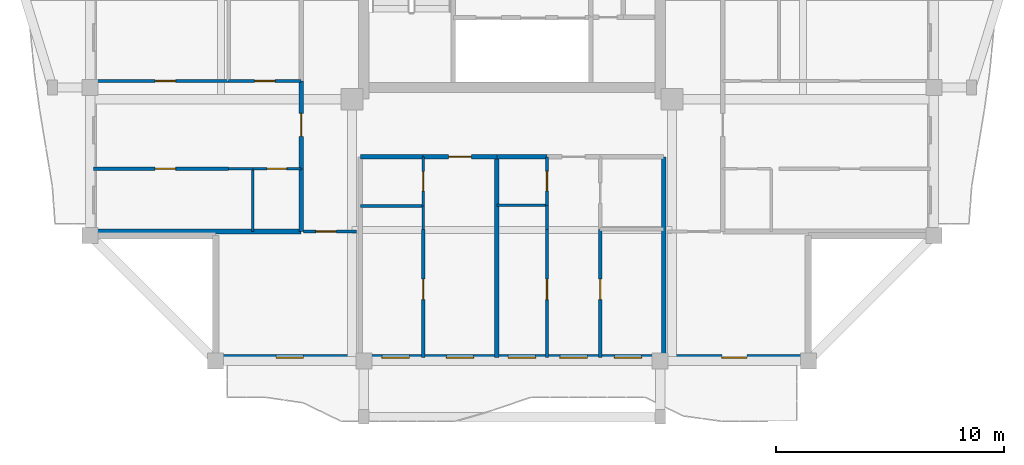
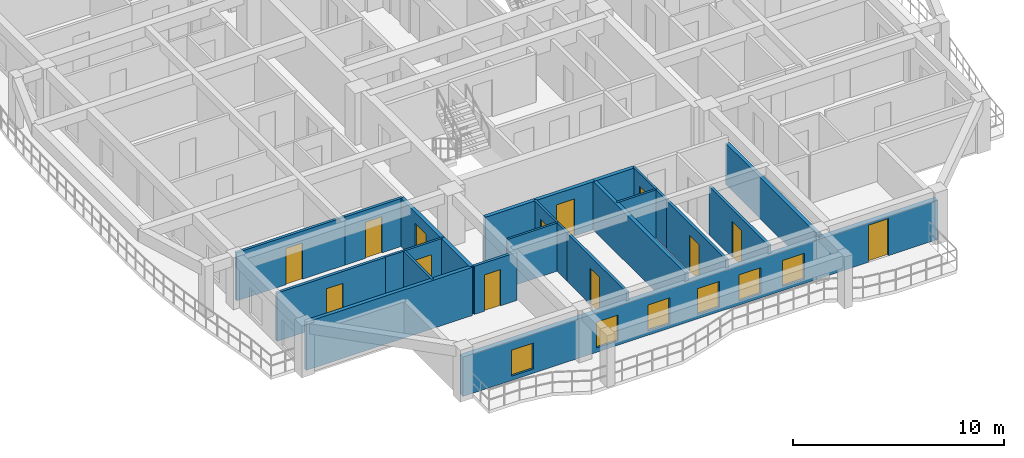
# One storey, part 2 of 14: 25 walls, 13 doors, 6 windows, 19 openings.
"""IFC4 building model written with IfcOpenShell, lengths in metres."""

from ifc_helpers import new_model, si_unit, direction, frame, frame_2d, origin, place, context, subcontext, project, spatial, rectangle, extrude, source, transform, mapped, material, layer, layer_set, type_object, element, fill, save


model = new_model("IFC4")

# Units and contexts
model_context = context("Model", 3, precision=1e-05, world=origin(), true_north=direction((0.0, 1.0)))
body_context = subcontext(model_context, "Body", "Model", "MODEL_VIEW")
ifc_project = project(units=[si_unit("LENGTHUNIT", "METRE"), si_unit("AREAUNIT", "SQUARE_METRE"), si_unit("VOLUMEUNIT", "CUBIC_METRE"), si_unit("PLANEANGLEUNIT", "RADIAN"), si_unit("MASSUNIT", "GRAM", prefix="KILO")], contexts=[model_context])

# Site, building, storey
site_placement = place(None, origin())
site = spatial("IfcSite", under=ifc_project, at=site_placement, CompositionType="ELEMENT")
building_placement = place(site_placement, origin())
building = spatial("IfcBuilding", under=site, at=building_placement, Name="Saelheon Loggia Tower", CompositionType="ELEMENT")
storey_placement = place(building_placement, frame((0.0, 0.0, 213.300048828125)))
storey = spatial("IfcBuildingStorey", under=building, at=storey_placement, Name="L66", CompositionType="ELEMENT", Elevation=213.300048828125)

# Wall, openings, windows, door
ifc_material_1 = material(Name="Architectural Precast Concrete C40/50", Category="concrete")
ifc_layer_1 = layer(ifc_material_1, 0.280029296875)
ifc_layer_set_1 = layer_set([ifc_layer_1], Name="Architectural Precast Concrete C40/50")
wall_type_1 = type_object("IfcWallType", Name="Wall_Ext_Loggia_280", PredefinedType="SOLIDWALL", material=ifc_layer_set_1)
wall_1_placement = place(storey_placement, frame((25.0, 6.139892578125, 0.0), z_axis=(0.0, 0.0, 1.0), x_axis=(1.0, 0.0, 0.0)))
wall_1 = element("IfcWall", 1, at=wall_1_placement, inside=storey, type_object=wall_type_1, Name="L66 South Loggia Inner Wall", PredefinedType="SOLIDWALL", context=body_context, shape_type="SweptSolid", body=[
    extrude(rectangle(XDim=26.0, YDim=0.280029296875, at=frame_2d((13.0, 0.0))), origin(), (0.0, 0.0, 1.0), 2.280029296875),
])
opening_1_placement = place(wall_1_placement, frame((2.64990234375, 0.0, 0.25)))
opening_1 = element("IfcOpeningElement", 2, at=opening_1_placement, cuts=wall_1, Name="Opening WN-03", PredefinedType="OPENING", context=body_context, shape_type="SweptSolid", body=[
    extrude(rectangle(XDim=1.199951171875, YDim=1.5, at=frame_2d((0.60009765625, 0.75))), frame((0.0, 0.152099609375, 0.0), z_axis=(0.0, -1.0, 0.0), x_axis=(1.0, 0.0, 0.0)), (0.0, 0.0, 1.0), 0.303955078125),
])
opening_2_placement = place(wall_1_placement, frame((7.29638671875, 0.0, 0.25)))
opening_2 = element("IfcOpeningElement", 3, at=opening_2_placement, cuts=wall_1, Name="Opening WN-03", PredefinedType="OPENING", context=body_context, shape_type="SweptSolid", body=[
    extrude(rectangle(XDim=1.199951171875, YDim=1.5, at=frame_2d((0.60009765625, 0.75))), frame((0.0, 0.152099609375, 0.0), z_axis=(0.0, -1.0, 0.0), x_axis=(1.0, 0.0, 0.0)), (0.0, 0.0, 1.0), 0.303955078125),
])
opening_3_placement = place(wall_1_placement, frame((10.118896484375, 0.0, 0.25)))
opening_3 = element("IfcOpeningElement", 4, at=opening_3_placement, cuts=wall_1, Name="Opening WN-03", PredefinedType="OPENING", context=body_context, shape_type="SweptSolid", body=[
    extrude(rectangle(XDim=1.199951171875, YDim=1.5, at=frame_2d((0.60009765625, 0.75))), frame((0.0, 0.152099609375, 0.0), z_axis=(0.0, -1.0, 0.0), x_axis=(1.0, 0.0, 0.0)), (0.0, 0.0, 1.0), 0.303955078125),
])
opening_4_placement = place(wall_1_placement, frame((12.8349609375, 0.0, 0.25)))
opening_4 = element("IfcOpeningElement", 5, at=opening_4_placement, cuts=wall_1, Name="Opening WN-03", PredefinedType="OPENING", context=body_context, shape_type="SweptSolid", body=[
    extrude(rectangle(XDim=1.199951171875, YDim=1.5, at=frame_2d((0.60009765625, 0.75))), frame((0.0, 0.152099609375, 0.0), z_axis=(0.0, -1.0, 0.0), x_axis=(1.0, 0.0, 0.0)), (0.0, 0.0, 1.0), 0.303955078125),
])
opening_5_placement = place(wall_1_placement, frame((15.1025390625, 0.0, 0.25)))
opening_5 = element("IfcOpeningElement", 6, at=opening_5_placement, cuts=wall_1, Name="Opening WN-03", PredefinedType="OPENING", context=body_context, shape_type="SweptSolid", body=[
    extrude(rectangle(XDim=1.199951171875, YDim=1.5, at=frame_2d((0.60009765625, 0.75))), frame((0.0, 0.152099609375, 0.0), z_axis=(0.0, -1.0, 0.0), x_axis=(1.0, 0.0, 0.0)), (0.0, 0.0, 1.0), 0.303955078125),
])
opening_6_placement = place(wall_1_placement, frame((17.489990234375, 0.0, 0.25)))
opening_6 = element("IfcOpeningElement", 7, at=opening_6_placement, cuts=wall_1, Name="Opening WN-03", PredefinedType="OPENING", context=body_context, shape_type="SweptSolid", body=[
    extrude(rectangle(XDim=1.199951171875, YDim=1.5, at=frame_2d((0.60009765625, 0.75))), frame((0.0, 0.152099609375, 0.0), z_axis=(0.0, -1.0, 0.0), x_axis=(1.0, 0.0, 0.0)), (0.0, 0.0, 1.0), 0.303955078125),
])
opening_7_placement = place(wall_1_placement, frame((23.300048828125, 0.0, 0.0), z_axis=(0.0, 0.0, 1.0), x_axis=(-1.0, 0.0, 0.0)))
opening_7 = element("IfcOpeningElement", 8, at=opening_7_placement, cuts=wall_1, Name="Opening TD1", PredefinedType="OPENING", context=body_context, shape_type="SweptSolid", body=[
    extrude(rectangle(XDim=1.10009765625, YDim=2.14990234375, at=frame_2d((0.550048828125, 1.074951171875))), frame((0.0, 0.152099609375, 0.0), z_axis=(0.0, -1.0, 0.0), x_axis=(1.0, 0.0, 0.0)), (0.0, 0.0, 1.0), 0.303955078125),
])
ifc_material_2 = material(Name="Thermal-Break Aluminium and Triple Low-E Glass", Category="aluminium")
window_type = type_object("IfcWindowType", Name="Win_Bedroom_1200x1500", PartitioningType="SINGLE_PANEL", PredefinedType="WINDOW", material=ifc_material_2)
shared_shape_1 = source(origin(), body_context, "Body", "SweptSolid", [
    extrude(rectangle(XDim=1.199951171875, YDim=1.5, at=frame_2d((0.60009765625, 0.75))), frame((0.0, 0.030029296875, 0.0), z_axis=(0.0, -1.0, 0.0), x_axis=(1.0, 0.0, 0.0)), (0.0, 0.0, 1.0), 0.06005859375),
])
window_1_placement = place(opening_1_placement, origin())
window_1 = element("IfcWindow", 9, at=window_1_placement, inside=storey, type_object=window_type, Name="L66 S Dwelling Window 1", OverallHeight=1.5, OverallWidth=1.199951171875, PartitioningType="SINGLE_PANEL", PredefinedType="WINDOW", context=body_context, shape_type="MappedRepresentation", body=[
    mapped(shared_shape_1, transform((0.0, 0.0, 0.0), scale=1.0)),
])
fill(opening_1, window_1)
window_2_placement = place(opening_2_placement, origin())
window_2 = element("IfcWindow", 10, at=window_2_placement, inside=storey, type_object=window_type, Name="L66 S Dwelling Window 2", OverallHeight=1.5, OverallWidth=1.199951171875, PartitioningType="SINGLE_PANEL", PredefinedType="WINDOW", context=body_context, shape_type="MappedRepresentation", body=[
    mapped(shared_shape_1, transform((0.0, 0.0, 0.0), scale=1.0)),
])
fill(opening_2, window_2)
window_3_placement = place(opening_3_placement, origin())
window_3 = element("IfcWindow", 11, at=window_3_placement, inside=storey, type_object=window_type, Name="L66 S Dwelling Window 3", OverallHeight=1.5, OverallWidth=1.199951171875, PartitioningType="SINGLE_PANEL", PredefinedType="WINDOW", context=body_context, shape_type="MappedRepresentation", body=[
    mapped(shared_shape_1, transform((0.0, 0.0, 0.0), scale=1.0)),
])
fill(opening_3, window_3)
window_4_placement = place(opening_4_placement, origin())
window_4 = element("IfcWindow", 12, at=window_4_placement, inside=storey, type_object=window_type, Name="L66 S Dwelling Window 4", OverallHeight=1.5, OverallWidth=1.199951171875, PartitioningType="SINGLE_PANEL", PredefinedType="WINDOW", context=body_context, shape_type="MappedRepresentation", body=[
    mapped(shared_shape_1, transform((0.0, 0.0, 0.0), scale=1.0)),
])
fill(opening_4, window_4)
window_5_placement = place(opening_5_placement, origin())
window_5 = element("IfcWindow", 13, at=window_5_placement, inside=storey, type_object=window_type, Name="L66 S Dwelling Window 5", OverallHeight=1.5, OverallWidth=1.199951171875, PartitioningType="SINGLE_PANEL", PredefinedType="WINDOW", context=body_context, shape_type="MappedRepresentation", body=[
    mapped(shared_shape_1, transform((0.0, 0.0, 0.0), scale=1.0)),
])
fill(opening_5, window_5)
window_6_placement = place(opening_6_placement, origin())
window_6 = element("IfcWindow", 14, at=window_6_placement, inside=storey, type_object=window_type, Name="L66 S Dwelling Window 6", OverallHeight=1.5, OverallWidth=1.199951171875, PartitioningType="SINGLE_PANEL", PredefinedType="WINDOW", context=body_context, shape_type="MappedRepresentation", body=[
    mapped(shared_shape_1, transform((0.0, 0.0, 0.0), scale=1.0)),
])
fill(opening_6, window_6)
ifc_material_3 = material(Name="Thermal-Break Aluminium Glazed Door", Category="aluminium")
door_type_1 = type_object("IfcDoorType", Name="Door_Terrace_TD1", OperationType="NOTDEFINED", PredefinedType="DOOR", material=ifc_material_3)
shared_shape_2 = source(origin(), body_context, "Body", "SweptSolid", [
    extrude(rectangle(XDim=1.10009765625, YDim=2.14990234375, at=frame_2d((0.550048828125, 1.074951171875))), frame((0.0, 0.02490234375, 0.0), z_axis=(0.0, -1.0, 0.0), x_axis=(1.0, 0.0, 0.0)), (0.0, 0.0, 1.0), 0.050048828125),
])
door_1_placement = place(opening_7_placement, origin())
door_1 = element("IfcDoor", 15, at=door_1_placement, inside=storey, type_object=door_type_1, Name="L66 S Loggia Access Door", OperationType="SINGLE_SWING_LEFT", OverallHeight=2.14990234375, OverallWidth=1.10009765625, PredefinedType="DOOR", context=body_context, shape_type="MappedRepresentation", body=[
    mapped(shared_shape_2, transform((0.0, 0.0, 0.0), scale=1.0)),
])
fill(opening_7, door_1)

# Wall, opening, door
ifc_material_4 = material(Name="Lightweight Autoclaved Aerated Concrete Block and Acoustic Gypsum", Category="concrete")
ifc_layer_2 = layer(ifc_material_4, 0.14990234375)
ifc_layer_set_2 = layer_set([ifc_layer_2], Name="Lightweight Autoclaved Aerated Concrete Block and Acoustic Gypsum")
wall_type_2 = type_object("IfcWallType", Name="Wall_Part_150", PredefinedType="PARTITIONING", material=ifc_layer_set_2)
wall_2_placement = place(storey_placement, frame((28.85009765625, 11.679931640625, 0.0), z_axis=(0.0, 0.0, 1.0), x_axis=(1.0, 0.0, 0.0)))
wall_2 = element("IfcWall", 16, at=wall_2_placement, inside=storey, type_object=wall_type_2, Name="PW-L66-CSW-H", PredefinedType="PARTITIONING", context=body_context, shape_type="SweptSolid", body=[
    extrude(rectangle(XDim=2.329833984375, YDim=0.14990234375, at=frame_2d((1.1650390625, 0.0))), origin(), (0.0, 0.0, 1.0), 2.7900390625),
])
opening_8_placement = place(wall_2_placement, frame((0.550048828125, 0.0, 0.0)))
opening_8 = element("IfcOpeningElement", 17, at=opening_8_placement, cuts=wall_2, Name="Opening D-IN2", PredefinedType="OPENING", context=body_context, shape_type="SweptSolid", body=[
    extrude(rectangle(XDim=0.89990234375, YDim=2.10009765625, at=frame_2d((0.449951171875, 1.050048828125))), frame((0.0, 0.0869140625, 0.0), z_axis=(0.0, -1.0, 0.0), x_axis=(1.0, 0.0, 0.0)), (0.0, 0.0, 1.0), 0.173828125),
])
ifc_material_5 = material(Name="Engineered Oak Flush Door", Category="timber")
door_type_2 = type_object("IfcDoorType", Name="Door_Int_900", OperationType="NOTDEFINED", PredefinedType="DOOR", material=ifc_material_5)
shared_shape_3 = source(origin(), body_context, "Body", "SweptSolid", [
    extrude(rectangle(XDim=0.89990234375, YDim=2.10009765625, at=frame_2d((0.449951171875, 1.050048828125))), frame((0.0, 0.02490234375, 0.0), z_axis=(0.0, -1.0, 0.0), x_axis=(1.0, 0.0, 0.0)), (0.0, 0.0, 1.0), 0.050048828125),
])
door_2_placement = place(opening_8_placement, origin())
door_2 = element("IfcDoor", 18, at=door_2_placement, inside=storey, type_object=door_type_2, Name="L66 Corner Home Office SW Door", OperationType="SINGLE_SWING_LEFT", OverallHeight=2.10009765625, OverallWidth=0.89990234375, PredefinedType="DOOR", context=body_context, shape_type="MappedRepresentation", body=[
    mapped(shared_shape_3, transform((0.0, 0.0, 0.0), scale=1.0)),
])
fill(opening_8, door_2)

wall_3_placement = place(storey_placement, frame((34.10302734375, 11.77001953125, 0.0), z_axis=(0.0, 0.0, 1.0), x_axis=(0.0, -1.0, 0.0)))
wall_3 = element("IfcWall", 19, at=wall_3_placement, inside=storey, type_object=wall_type_2, Name="L66 S Partition U08", PredefinedType="PARTITIONING", context=body_context, shape_type="SweptSolid", body=[
    extrude(rectangle(XDim=5.6201171875, YDim=0.14990234375, at=frame_2d((2.81005859375, 0.0))), origin(), (0.0, 0.0, 1.0), 2.7900390625),
])
opening_9_placement = place(wall_3_placement, frame((2.183349609375, 0.0, 0.0)))
opening_9 = element("IfcOpeningElement", 20, at=opening_9_placement, cuts=wall_3, Name="Opening D-IN2", PredefinedType="OPENING", context=body_context, shape_type="SweptSolid", body=[
    extrude(rectangle(XDim=0.89990234375, YDim=2.10009765625, at=frame_2d((0.449951171875, 1.050048828125))), frame((0.0, 0.0869140625, 0.0), z_axis=(0.0, -1.0, 0.0), x_axis=(1.0, 0.0, 0.0)), (0.0, 0.0, 1.0), 0.173828125),
])
door_3_placement = place(opening_9_placement, origin())
door_3 = element("IfcDoor", 21, at=door_3_placement, inside=storey, type_object=door_type_2, Name="Unit U01 Kitchen Door", OperationType="SINGLE_SWING_LEFT", OverallHeight=2.10009765625, OverallWidth=0.89990234375, PredefinedType="DOOR", context=body_context, shape_type="MappedRepresentation", body=[
    mapped(shared_shape_3, transform((0.0, 0.0, 0.0), scale=1.0)),
])
fill(opening_9, door_3)

wall_4_placement = place(storey_placement, frame((39.534912109375, 11.77001953125, 0.0), z_axis=(0.0, 0.0, 1.0), x_axis=(0.0, -1.0, 0.0)))
wall_4 = element("IfcWall", 22, at=wall_4_placement, inside=storey, type_object=wall_type_2, Name="L66 S Partition U17", PredefinedType="PARTITIONING", context=body_context, shape_type="SweptSolid", body=[
    extrude(rectangle(XDim=5.6201171875, YDim=0.14990234375, at=frame_2d((2.81005859375, 0.0))), origin(), (0.0, 0.0, 1.0), 2.7900390625),
])
opening_10_placement = place(wall_4_placement, frame((2.183349609375, 0.0, 0.0)))
opening_10 = element("IfcOpeningElement", 23, at=opening_10_placement, cuts=wall_4, Name="Opening D-IN2", PredefinedType="OPENING", context=body_context, shape_type="SweptSolid", body=[
    extrude(rectangle(XDim=0.89990234375, YDim=2.10009765625, at=frame_2d((0.449951171875, 1.050048828125))), frame((0.0, 0.0869140625, 0.0), z_axis=(0.0, -1.0, 0.0), x_axis=(1.0, 0.0, 0.0)), (0.0, 0.0, 1.0), 0.173828125),
])
door_4_placement = place(opening_10_placement, origin())
door_4 = element("IfcDoor", 24, at=door_4_placement, inside=storey, type_object=door_type_2, Name="Unit U02 Kitchen Door", OperationType="SINGLE_SWING_RIGHT", OverallHeight=2.10009765625, OverallWidth=0.89990234375, PredefinedType="DOOR", context=body_context, shape_type="MappedRepresentation", body=[
    mapped(shared_shape_3, transform((0.0, 0.0, 0.0), scale=1.0)),
])
fill(opening_10, door_4)

wall_5_placement = place(storey_placement, frame((41.870361328125, 11.77001953125, 0.0), z_axis=(0.0, 0.0, 1.0), x_axis=(0.0, -1.0, 0.0)))
wall_5 = element("IfcWall", 25, at=wall_5_placement, inside=storey, type_object=wall_type_2, Name="L66 S Partition U19", PredefinedType="PARTITIONING", context=body_context, shape_type="SweptSolid", body=[
    extrude(rectangle(XDim=5.6201171875, YDim=0.14990234375, at=frame_2d((2.81005859375, 0.0))), origin(), (0.0, 0.0, 1.0), 2.7900390625),
])
opening_11_placement = place(wall_5_placement, frame((2.183349609375, 0.0, 0.0)))
opening_11 = element("IfcOpeningElement", 26, at=opening_11_placement, cuts=wall_5, Name="Opening D-IN2", PredefinedType="OPENING", context=body_context, shape_type="SweptSolid", body=[
    extrude(rectangle(XDim=0.89990234375, YDim=2.10009765625, at=frame_2d((0.449951171875, 1.050048828125))), frame((0.0, 0.0869140625, 0.0), z_axis=(0.0, -1.0, 0.0), x_axis=(1.0, 0.0, 0.0)), (0.0, 0.0, 1.0), 0.173828125),
])
door_5_placement = place(opening_11_placement, origin())
door_5 = element("IfcDoor", 27, at=door_5_placement, inside=storey, type_object=door_type_2, Name="Unit U02 Bedroom 1 Door", OperationType="SINGLE_SWING_RIGHT", OverallHeight=2.10009765625, OverallWidth=0.89990234375, PredefinedType="DOOR", context=body_context, shape_type="MappedRepresentation", body=[
    mapped(shared_shape_3, transform((0.0, 0.0, 0.0), scale=1.0)),
])
fill(opening_11, door_5)

wall_6_placement = place(storey_placement, frame((25.570068359375, 14.429931640625, 0.0), z_axis=(0.0, 0.0, 1.0), x_axis=(-1.0, 0.0, 0.0)))
wall_6 = element("IfcWall", 28, at=wall_6_placement, inside=storey, type_object=wall_type_2, Name="L66 W Partition U10", PredefinedType="PARTITIONING", context=body_context, shape_type="SweptSolid", body=[
    extrude(rectangle(XDim=5.920166015625, YDim=0.14990234375, at=frame_2d((2.9599609375, 0.0))), origin(), (0.0, 0.0, 1.0), 2.7900390625),
])
opening_12_placement = place(wall_6_placement, frame((2.32080078125, 0.0, 0.0)))
opening_12 = element("IfcOpeningElement", 29, at=opening_12_placement, cuts=wall_6, Name="Opening D-IN2", PredefinedType="OPENING", context=body_context, shape_type="SweptSolid", body=[
    extrude(rectangle(XDim=0.89990234375, YDim=2.10009765625, at=frame_2d((0.449951171875, 1.050048828125))), frame((0.0, 0.0869140625, 0.0), z_axis=(0.0, -1.0, 0.0), x_axis=(1.0, 0.0, 0.0)), (0.0, 0.0, 1.0), 0.173828125),
])
door_6_placement = place(opening_12_placement, origin())
door_6 = element("IfcDoor", 30, at=door_6_placement, inside=storey, type_object=door_type_2, Name="Unit U05 Kitchen Door", OperationType="SINGLE_SWING_RIGHT", OverallHeight=2.10009765625, OverallWidth=0.89990234375, PredefinedType="DOOR", context=body_context, shape_type="MappedRepresentation", body=[
    mapped(shared_shape_3, transform((0.0, 0.0, 0.0), scale=1.0)),
])
fill(opening_12, door_6)

wall_7_placement = place(storey_placement, frame((28.75, 18.280029296875, 0.0), z_axis=(0.0, 0.0, 1.0), x_axis=(-1.0, 0.0, 0.0)))
wall_7 = element("IfcWall", 31, at=wall_7_placement, inside=storey, type_object=wall_type_2, Name="L66 W Partition U11", PredefinedType="PARTITIONING", context=body_context, shape_type="SweptSolid", body=[
    extrude(rectangle(XDim=3.179931640625, YDim=0.14990234375, at=frame_2d((1.58984375, 0.0))), origin(), (0.0, 0.0, 1.0), 2.7900390625),
])
opening_13_placement = place(wall_7_placement, frame((1.139892578125, 0.0, 0.0)))
opening_13 = element("IfcOpeningElement", 32, at=opening_13_placement, cuts=wall_7, Name="Opening D-IN2", PredefinedType="OPENING", context=body_context, shape_type="SweptSolid", body=[
    extrude(rectangle(XDim=0.89990234375, YDim=2.10009765625, at=frame_2d((0.449951171875, 1.050048828125))), frame((0.0, 0.0869140625, 0.0), z_axis=(0.0, -1.0, 0.0), x_axis=(1.0, 0.0, 0.0)), (0.0, 0.0, 1.0), 0.173828125),
])
door_7_placement = place(opening_13_placement, origin())
door_7 = element("IfcDoor", 33, at=door_7_placement, inside=storey, type_object=door_type_2, Name="Unit U05 Dressing Closet Door", OperationType="SINGLE_SWING_LEFT", OverallHeight=2.10009765625, OverallWidth=0.89990234375, PredefinedType="DOOR", context=body_context, shape_type="MappedRepresentation", body=[
    mapped(shared_shape_3, transform((0.0, 0.0, 0.0), scale=1.0)),
])
fill(opening_13, door_7)

wall_8_placement = place(storey_placement, frame((25.570068359375, 18.280029296875, 0.0), z_axis=(0.0, 0.0, 1.0), x_axis=(-1.0, 0.0, 0.0)))
wall_8 = element("IfcWall", 34, at=wall_8_placement, inside=storey, type_object=wall_type_2, Name="L66 W Partition U12", PredefinedType="PARTITIONING", context=body_context, shape_type="SweptSolid", body=[
    extrude(rectangle(XDim=5.920166015625, YDim=0.14990234375, at=frame_2d((2.9599609375, 0.0))), origin(), (0.0, 0.0, 1.0), 2.7900390625),
])
opening_14_placement = place(wall_8_placement, frame((2.32080078125, 0.0, 0.0)))
opening_14 = element("IfcOpeningElement", 35, at=opening_14_placement, cuts=wall_8, Name="Opening D-IN2", PredefinedType="OPENING", context=body_context, shape_type="SweptSolid", body=[
    extrude(rectangle(XDim=0.89990234375, YDim=2.10009765625, at=frame_2d((0.449951171875, 1.050048828125))), frame((0.0, 0.0869140625, 0.0), z_axis=(0.0, -1.0, 0.0), x_axis=(1.0, 0.0, 0.0)), (0.0, 0.0, 1.0), 0.173828125),
])
door_8_placement = place(opening_14_placement, origin())
door_8 = element("IfcDoor", 36, at=door_8_placement, inside=storey, type_object=door_type_2, Name="Unit U05 Bedroom 1 Door", OperationType="SINGLE_SWING_RIGHT", OverallHeight=2.10009765625, OverallWidth=0.89990234375, PredefinedType="DOOR", context=body_context, shape_type="MappedRepresentation", body=[
    mapped(shared_shape_3, transform((0.0, 0.0, 0.0), scale=1.0)),
])
fill(opening_14, door_8)

# Walls
ifc_material_6 = material(Name="Double Acoustic Stud and Fireboard Partition", Category="gypsum")
ifc_layer_3 = layer(ifc_material_6, 0.199951171875)
ifc_layer_set_3 = layer_set([ifc_layer_3], Name="Double Acoustic Stud and Fireboard Partition")
wall_type_3 = type_object("IfcWallType", Name="Wall_Party_200", PredefinedType="PARTITIONING", material=ifc_layer_set_3)
wall_9_placement = place(storey_placement, frame((44.64990234375, 14.949951171875, 0.0), z_axis=(0.0, 0.0, 1.0), x_axis=(0.0, -1.0, 0.0)))
element("IfcWall", 37, at=wall_9_placement, inside=storey, type_object=wall_type_3, Name="L66 S Partition U02", PredefinedType="PARTITIONING", context=body_context, shape_type="SweptSolid", body=[
    extrude(rectangle(XDim=8.800048828125, YDim=0.199951171875, at=frame_2d((4.39990234375, 0.0))), origin(), (0.0, 0.0, 1.0), 2.389892578125),
])
wall_10_placement = place(storey_placement, frame((31.35009765625, 14.949951171875, 0.0), z_axis=(0.0, 0.0, 1.0), x_axis=(1.0, 0.0, 0.0)))
element("IfcWall", 38, at=wall_10_placement, inside=storey, type_object=wall_type_3, Name="L66 S Partition V03", PredefinedType="PARTITIONING", context=body_context, shape_type="SweptSolid", body=[
    extrude(rectangle(XDim=2.7529296875, YDim=0.199951171875, at=frame_2d((1.37646484375, 0.0))), origin(), (0.0, 0.0, 1.0), 2.7900390625),
])

# Wall, opening, door
wall_11_placement = place(storey_placement, frame((34.10302734375, 14.949951171875, 0.0), z_axis=(0.0, 0.0, 1.0), x_axis=(1.0, 0.0, 0.0)))
wall_11 = element("IfcWall", 39, at=wall_11_placement, inside=storey, type_object=wall_type_3, Name="L66 S Partition V04", PredefinedType="PARTITIONING", context=body_context, shape_type="SweptSolid", body=[
    extrude(rectangle(XDim=3.23193359375, YDim=0.199951171875, at=frame_2d((1.615966796875, 0.0))), origin(), (0.0, 0.0, 1.0), 2.7900390625),
])
opening_15_placement = place(wall_11_placement, frame((1.115966796875, 0.0, 0.0)))
opening_15 = element("IfcOpeningElement", 40, at=opening_15_placement, cuts=wall_11, Name="Opening D-FD1", PredefinedType="OPENING", context=body_context, shape_type="SweptSolid", body=[
    extrude(rectangle(XDim=1.0, YDim=2.14990234375, at=frame_2d((0.5, 1.074951171875))), frame((0.0, 0.112060546875, 0.0), z_axis=(0.0, -1.0, 0.0), x_axis=(1.0, 0.0, 0.0)), (0.0, 0.0, 1.0), 0.223876953125),
])
ifc_material_7 = material(Name="Fire-Rated Engineered Timber Entrance Door", Category="wood")
door_type_3 = type_object("IfcDoorType", Name="Door_Flat_FD30S", OperationType="NOTDEFINED", PredefinedType="DOOR", material=ifc_material_7)
shared_shape_4 = source(origin(), body_context, "Body", "SweptSolid", [
    extrude(rectangle(XDim=1.0, YDim=2.14990234375, at=frame_2d((0.5, 1.074951171875))), frame((0.0, 0.02490234375, 0.0), z_axis=(0.0, -1.0, 0.0), x_axis=(1.0, 0.0, 0.0)), (0.0, 0.0, 1.0), 0.050048828125),
])
door_9_placement = place(opening_15_placement, origin())
door_9 = element("IfcDoor", 41, at=door_9_placement, inside=storey, type_object=door_type_3, Name="Unit U01 Entrance Door", OperationType="SINGLE_SWING_LEFT", OverallHeight=2.14990234375, OverallWidth=1.0, PredefinedType="DOOR", context=body_context, shape_type="MappedRepresentation", body=[
    mapped(shared_shape_4, transform((0.0, 0.0, 0.0), scale=1.0)),
])
fill(opening_15, door_9)

# Walls
wall_12_placement = place(storey_placement, frame((37.3349609375, 14.949951171875, 0.0), z_axis=(0.0, 0.0, 1.0), x_axis=(0.0, -1.0, 0.0)))
element("IfcWall", 42, at=wall_12_placement, inside=storey, type_object=wall_type_3, Name="L66 S Partition U09", PredefinedType="PARTITIONING", context=body_context, shape_type="SweptSolid", body=[
    extrude(rectangle(XDim=8.800048828125, YDim=0.199951171875, at=frame_2d((4.39990234375, 0.0))), origin(), (0.0, 0.0, 1.0), 2.7900390625),
])
wall_13_placement = place(storey_placement, frame((37.3349609375, 14.949951171875, 0.0), z_axis=(0.0, 0.0, 1.0), x_axis=(1.0, 0.0, 0.0)))
element("IfcWall", 43, at=wall_13_placement, inside=storey, type_object=wall_type_3, Name="L66 S Partition V10", PredefinedType="PARTITIONING", context=body_context, shape_type="SweptSolid", body=[
    extrude(rectangle(XDim=2.199951171875, YDim=0.199951171875, at=frame_2d((1.10009765625, 0.0))), origin(), (0.0, 0.0, 1.0), 2.7900390625),
])
wall_14_placement = place(storey_placement, frame((28.75, 11.679931640625, 0.0), z_axis=(0.0, 0.0, 1.0), x_axis=(-1.0, 0.0, 0.0)))
element("IfcWall", 44, at=wall_14_placement, inside=storey, type_object=wall_type_3, Name="L66 W Partition U01", PredefinedType="PARTITIONING", context=body_context, shape_type="SweptSolid", body=[
    extrude(rectangle(XDim=9.10009765625, YDim=0.199951171875, at=frame_2d((4.550048828125, 0.0))), origin(), (0.0, 0.0, 1.0), 2.7900390625),
])
wall_15_placement = place(storey_placement, frame((28.75, 11.679931640625, 0.0), z_axis=(0.0, 0.0, 1.0), x_axis=(0.0, 1.0, 0.0)))
element("IfcWall", 45, at=wall_15_placement, inside=storey, type_object=wall_type_3, Name="L66 W Partition V03", PredefinedType="PARTITIONING", context=body_context, shape_type="SweptSolid", body=[
    extrude(rectangle(XDim=2.75, YDim=0.199951171875, at=frame_2d((1.375, 0.0))), origin(), (0.0, 0.0, 1.0), 2.7900390625),
])

# Wall, opening, door
wall_16_placement = place(storey_placement, frame((28.75, 14.429931640625, 0.0), z_axis=(0.0, 0.0, 1.0), x_axis=(0.0, 1.0, 0.0)))
wall_16 = element("IfcWall", 46, at=wall_16_placement, inside=storey, type_object=wall_type_3, Name="L66 W Partition V04", PredefinedType="PARTITIONING", context=body_context, shape_type="SweptSolid", body=[
    extrude(rectangle(XDim=3.85009765625, YDim=0.199951171875, at=frame_2d((1.925048828125, 0.0))), origin(), (0.0, 0.0, 1.0), 2.7900390625),
])
opening_16_placement = place(wall_16_placement, frame((1.425048828125, 0.0, 0.0)))
opening_16 = element("IfcOpeningElement", 47, at=opening_16_placement, cuts=wall_16, Name="Opening D-FD1", PredefinedType="OPENING", context=body_context, shape_type="SweptSolid", body=[
    extrude(rectangle(XDim=1.0, YDim=2.14990234375, at=frame_2d((0.5, 1.074951171875))), frame((0.0, 0.112060546875, 0.0), z_axis=(0.0, -1.0, 0.0), x_axis=(1.0, 0.0, 0.0)), (0.0, 0.0, 1.0), 0.223876953125),
])
door_10_placement = place(opening_16_placement, origin())
door_10 = element("IfcDoor", 48, at=door_10_placement, inside=storey, type_object=door_type_3, Name="Unit U05 Entrance Door", OperationType="SINGLE_SWING_RIGHT", OverallHeight=2.14990234375, OverallWidth=1.0, PredefinedType="DOOR", context=body_context, shape_type="MappedRepresentation", body=[
    mapped(shared_shape_4, transform((0.0, 0.0, 0.0), scale=1.0)),
])
fill(opening_16, door_10)

ifc_material_8 = material(Name="Moisture-Resistant Cement Board Partition", Category="gypsum")
ifc_layer_4 = layer(ifc_material_8, 0.1201171875)
ifc_layer_set_4 = layer_set([ifc_layer_4], Name="Moisture-Resistant Cement Board Partition")
wall_type_4 = type_object("IfcWallType", Name="Wall_WetPart_120", PredefinedType="PARTITIONING", material=ifc_layer_set_4)
wall_17_placement = place(storey_placement, frame((34.10302734375, 14.949951171875, 0.0), z_axis=(0.0, 0.0, 1.0), x_axis=(0.0, -1.0, 0.0)))
wall_17 = element("IfcWall", 49, at=wall_17_placement, inside=storey, type_object=wall_type_4, Name="L66 S Partition U05", PredefinedType="PARTITIONING", context=body_context, shape_type="SweptSolid", body=[
    extrude(rectangle(XDim=2.14990234375, YDim=0.1201171875, at=frame_2d((1.074951171875, 0.0))), origin(), (0.0, 0.0, 1.0), 2.7900390625),
])
opening_17_placement = place(wall_17_placement, frame((0.64990234375, 0.0, 0.0)))
opening_17 = element("IfcOpeningElement", 50, at=opening_17_placement, cuts=wall_17, Name="Opening D-BT1", PredefinedType="OPENING", context=body_context, shape_type="SweptSolid", body=[
    extrude(rectangle(XDim=0.85009765625, YDim=2.050048828125, at=frame_2d((0.425048828125, 1.02490234375))), frame((0.0, 0.072021484375, 0.0), z_axis=(0.0, -1.0, 0.0), x_axis=(1.0, 0.0, 0.0)), (0.0, 0.0, 1.0), 0.14404296875),
])
ifc_material_9 = material(Name="Moisture-Resistant Laminate Timber Door", Category="wood")
door_type_4 = type_object("IfcDoorType", Name="Door_Bath_850", OperationType="NOTDEFINED", PredefinedType="DOOR", material=ifc_material_9)
shared_shape_5 = source(origin(), body_context, "Body", "SweptSolid", [
    extrude(rectangle(XDim=0.85009765625, YDim=2.050048828125, at=frame_2d((0.425048828125, 1.02490234375))), frame((0.0, 0.02490234375, 0.0), z_axis=(0.0, -1.0, 0.0), x_axis=(1.0, 0.0, 0.0)), (0.0, 0.0, 1.0), 0.050048828125),
])
door_11_placement = place(opening_17_placement, origin())
door_11 = element("IfcDoor", 51, at=door_11_placement, inside=storey, type_object=door_type_4, Name="Unit U01 Bathroom Door", OperationType="SINGLE_SWING_RIGHT", OverallHeight=2.050048828125, OverallWidth=0.85009765625, PredefinedType="DOOR", context=body_context, shape_type="MappedRepresentation", body=[
    mapped(shared_shape_5, transform((0.0, 0.0, 0.0), scale=1.0)),
])
fill(opening_17, door_11)

# Walls
wall_18_placement = place(storey_placement, frame((34.10302734375, 12.800048828125, 0.0), z_axis=(0.0, 0.0, 1.0), x_axis=(0.0, -1.0, 0.0)))
element("IfcWall", 52, at=wall_18_placement, inside=storey, type_object=wall_type_4, Name="L66 S Partition U06", PredefinedType="PARTITIONING", context=body_context, shape_type="SweptSolid", body=[
    extrude(rectangle(XDim=1.030029296875, YDim=0.1201171875, at=frame_2d((0.51513671875, 0.0))), origin(), (0.0, 0.0, 1.0), 2.7900390625),
])
wall_19_placement = place(storey_placement, frame((31.35009765625, 12.800048828125, 0.0), z_axis=(0.0, 0.0, 1.0), x_axis=(1.0, 0.0, 0.0)))
element("IfcWall", 53, at=wall_19_placement, inside=storey, type_object=wall_type_4, Name="L66 S Partition V07", PredefinedType="PARTITIONING", context=body_context, shape_type="SweptSolid", body=[
    extrude(rectangle(XDim=2.7529296875, YDim=0.1201171875, at=frame_2d((1.37646484375, 0.0))), origin(), (0.0, 0.0, 1.0), 2.7900390625),
])
wall_20_placement = place(storey_placement, frame((37.3349609375, 12.830078125, 0.0), z_axis=(0.0, 0.0, 1.0), x_axis=(1.0, 0.0, 0.0)))
element("IfcWall", 54, at=wall_20_placement, inside=storey, type_object=wall_type_4, Name="L66 S Partition V13", PredefinedType="PARTITIONING", context=body_context, shape_type="SweptSolid", body=[
    extrude(rectangle(XDim=2.199951171875, YDim=0.1201171875, at=frame_2d((1.10009765625, 0.0))), origin(), (0.0, 0.0, 1.0), 2.7900390625),
])

# Wall, opening, door
wall_21_placement = place(storey_placement, frame((39.534912109375, 14.949951171875, 0.0), z_axis=(0.0, 0.0, 1.0), x_axis=(0.0, -1.0, 0.0)))
wall_21 = element("IfcWall", 55, at=wall_21_placement, inside=storey, type_object=wall_type_4, Name="L66 S Partition U15", PredefinedType="PARTITIONING", context=body_context, shape_type="SweptSolid", body=[
    extrude(rectangle(XDim=2.119873046875, YDim=0.1201171875, at=frame_2d((1.06005859375, 0.0))), origin(), (0.0, 0.0, 1.0), 2.7900390625),
])
opening_18_placement = place(wall_21_placement, frame((0.635009765625, 0.0, 0.0)))
opening_18 = element("IfcOpeningElement", 56, at=opening_18_placement, cuts=wall_21, Name="Opening D-BT1", PredefinedType="OPENING", context=body_context, shape_type="SweptSolid", body=[
    extrude(rectangle(XDim=0.85009765625, YDim=2.050048828125, at=frame_2d((0.425048828125, 1.02490234375))), frame((0.0, 0.072021484375, 0.0), z_axis=(0.0, -1.0, 0.0), x_axis=(1.0, 0.0, 0.0)), (0.0, 0.0, 1.0), 0.14404296875),
])
door_12_placement = place(opening_18_placement, origin())
door_12 = element("IfcDoor", 57, at=door_12_placement, inside=storey, type_object=door_type_4, Name="Unit U02 Bathroom Door", OperationType="SINGLE_SWING_LEFT", OverallHeight=2.050048828125, OverallWidth=0.85009765625, PredefinedType="DOOR", context=body_context, shape_type="MappedRepresentation", body=[
    mapped(shared_shape_5, transform((0.0, 0.0, 0.0), scale=1.0)),
])
fill(opening_18, door_12)

# Walls
wall_22_placement = place(storey_placement, frame((39.534912109375, 12.830078125, 0.0), z_axis=(0.0, 0.0, 1.0), x_axis=(0.0, -1.0, 0.0)))
element("IfcWall", 58, at=wall_22_placement, inside=storey, type_object=wall_type_4, Name="L66 S Partition U16", PredefinedType="PARTITIONING", context=body_context, shape_type="SweptSolid", body=[
    extrude(rectangle(XDim=1.06005859375, YDim=0.1201171875, at=frame_2d((0.530029296875, 0.0))), origin(), (0.0, 0.0, 1.0), 2.7900390625),
])
wall_23_placement = place(storey_placement, frame((26.6298828125, 11.679931640625, 0.0), z_axis=(0.0, 0.0, 1.0), x_axis=(0.0, 1.0, 0.0)))
element("IfcWall", 59, at=wall_23_placement, inside=storey, type_object=wall_type_4, Name="L66 W Partition V06", PredefinedType="PARTITIONING", context=body_context, shape_type="SweptSolid", body=[
    extrude(rectangle(XDim=2.75, YDim=0.1201171875, at=frame_2d((1.375, 0.0))), origin(), (0.0, 0.0, 1.0), 2.7900390625),
])

# Wall, opening, door
wall_24_placement = place(storey_placement, frame((28.75, 14.429931640625, 0.0), z_axis=(0.0, 0.0, 1.0), x_axis=(-1.0, 0.0, 0.0)))
wall_24 = element("IfcWall", 60, at=wall_24_placement, inside=storey, type_object=wall_type_4, Name="L66 W Partition U08", PredefinedType="PARTITIONING", context=body_context, shape_type="SweptSolid", body=[
    extrude(rectangle(XDim=2.1201171875, YDim=0.1201171875, at=frame_2d((1.06005859375, 0.0))), origin(), (0.0, 0.0, 1.0), 2.7900390625),
])
opening_19_placement = place(wall_24_placement, frame((0.635009765625, 0.0, 0.0)))
opening_19 = element("IfcOpeningElement", 61, at=opening_19_placement, cuts=wall_24, Name="Opening D-BT1", PredefinedType="OPENING", context=body_context, shape_type="SweptSolid", body=[
    extrude(rectangle(XDim=0.85009765625, YDim=2.050048828125, at=frame_2d((0.425048828125, 1.02490234375))), frame((0.0, 0.072021484375, 0.0), z_axis=(0.0, -1.0, 0.0), x_axis=(1.0, 0.0, 0.0)), (0.0, 0.0, 1.0), 0.14404296875),
])
door_13_placement = place(opening_19_placement, origin())
door_13 = element("IfcDoor", 62, at=door_13_placement, inside=storey, type_object=door_type_4, Name="Unit U05 Bathroom Door", OperationType="SINGLE_SWING_LEFT", OverallHeight=2.050048828125, OverallWidth=0.85009765625, PredefinedType="DOOR", context=body_context, shape_type="MappedRepresentation", body=[
    mapped(shared_shape_5, transform((0.0, 0.0, 0.0), scale=1.0)),
])
fill(opening_19, door_13)

# Wall
wall_25_placement = place(storey_placement, frame((26.6298828125, 14.429931640625, 0.0), z_axis=(0.0, 0.0, 1.0), x_axis=(-1.0, 0.0, 0.0)))
element("IfcWall", 63, at=wall_25_placement, inside=storey, type_object=wall_type_4, Name="L66 W Partition U09", PredefinedType="PARTITIONING", context=body_context, shape_type="SweptSolid", body=[
    extrude(rectangle(XDim=1.059814453125, YDim=0.1201171875, at=frame_2d((0.52978515625, 0.0))), origin(), (0.0, 0.0, 1.0), 2.7900390625),
])

save(model, "model.ifc")
